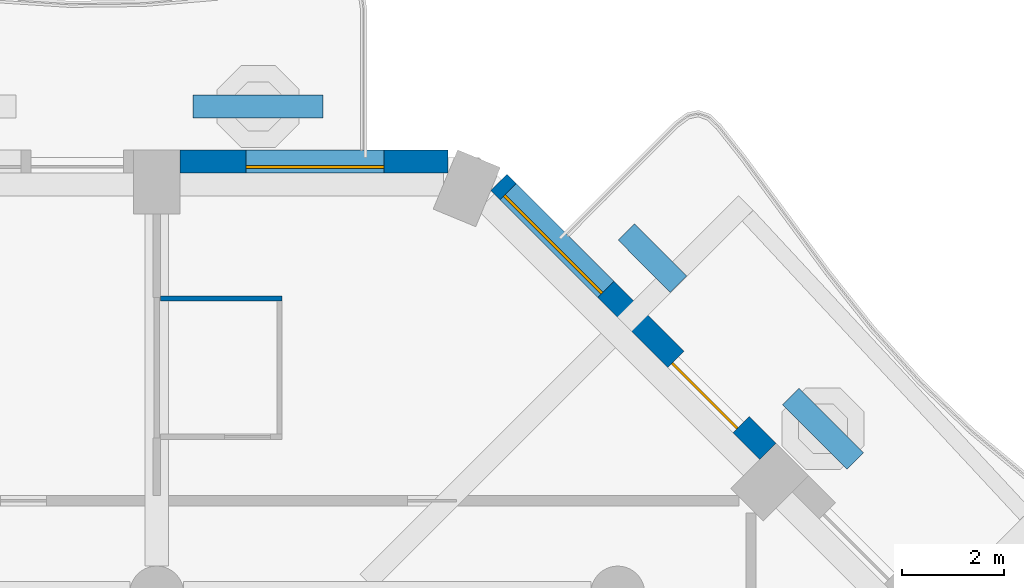
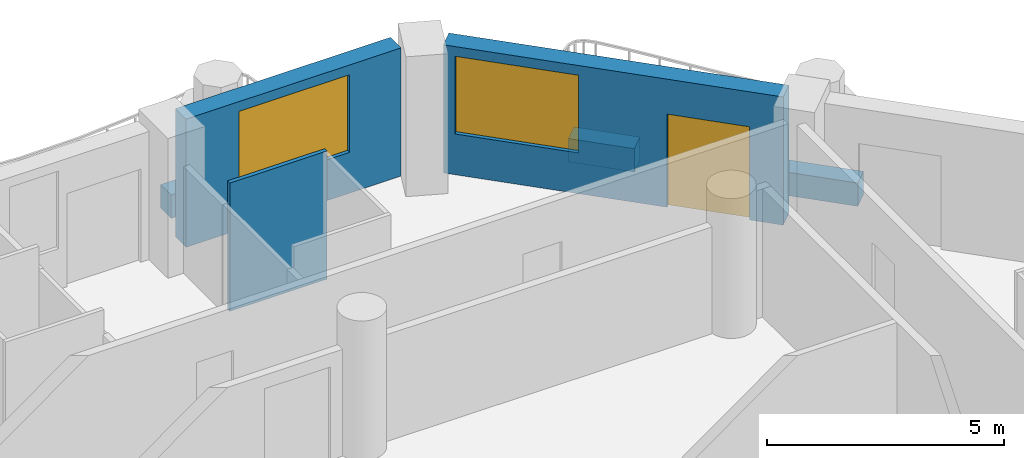
# One storey, part 10 of 20: 6 walls, 2 windows, 1 door, 3 openings.
"""IFC4 building model written with IfcOpenShell, lengths in metres."""

from ifc_helpers import new_model, si_unit, direction, frame, frame_2d, origin, place, context, subcontext, project, spatial, rectangle, extrude, material, layer, layer_set, type_object, element, fill, save


model = new_model("IFC4")

# Units and contexts
model_context = context("Model", 3, precision=1e-05, world=origin(), true_north=direction((0.0, 1.0)))
body_context = subcontext(model_context, "Body", "Model", "MODEL_VIEW")
ifc_project = project(units=[si_unit("LENGTHUNIT", "METRE"), si_unit("AREAUNIT", "SQUARE_METRE"), si_unit("VOLUMEUNIT", "CUBIC_METRE"), si_unit("PLANEANGLEUNIT", "RADIAN"), si_unit("MASSUNIT", "GRAM", prefix="KILO")], contexts=[model_context])

# Site, building, storey
site_placement = place(None, origin())
site = spatial("IfcSite", under=ifc_project, at=site_placement, CompositionType="ELEMENT")
building_placement = place(site_placement, origin())
building = spatial("IfcBuilding", under=site, at=building_placement, Name="Cypress Arch Tower", CompositionType="ELEMENT")
storey_placement = place(building_placement, frame((0.0, 0.0, 123.89990234375)))
storey = spatial("IfcBuildingStorey", under=building, at=storey_placement, Name="L26", CompositionType="ELEMENT", Elevation=123.89990234375)

# Walls
ifc_material_1 = material(Name="Concrete C40/50, waterproofed", Category="concrete")
ifc_layer_1 = layer(ifc_material_1, 0.449951171875)
ifc_layer_set_1 = layer_set([ifc_layer_1], Name="Balcony planter wall PW450")
wall_type_1 = type_object("IfcWallType", Name="Balcony planter wall PW450", PredefinedType="SOLIDWALL", material=ifc_layer_set_1)
wall_1_placement = place(storey_placement, frame((19.9365234375, 20.07763671875, 0.0), z_axis=(0.0, 0.0, 1.0), x_axis=(-0.707106781187, 0.707106781187, 0.0)))
element("IfcWall", 1, at=wall_1_placement, inside=storey, type_object=wall_type_1, Name="Balcony planter wall L26-A07.2", PredefinedType="SOLIDWALL", context=body_context, shape_type="SweptSolid", body=[
    extrude(rectangle(XDim=1.780517578125, YDim=0.449951171875, at=frame_2d((0.89013671875, 0.0))), origin(), (0.0, 0.0, 1.0), 0.60009765625),
])
wall_2_placement = place(storey_placement, frame((16.485595703125, 23.528564453125, 0.0), z_axis=(0.0, 0.0, 1.0), x_axis=(-0.707022305137, 0.707191247145, 0.0)))
element("IfcWall", 2, at=wall_2_placement, inside=storey, type_object=wall_type_1, Name="Balcony planter wall L26-A07.3", PredefinedType="SOLIDWALL", context=body_context, shape_type="SweptSolid", body=[
    extrude(rectangle(XDim=1.445068359375, YDim=0.449951171875, at=frame_2d((0.72265625, 0.0))), origin(), (0.0, 0.0, 1.0), 0.60009765625),
])
wall_3_placement = place(storey_placement, frame((9.550048828125, 27.0, 0.0), z_axis=(0.0, 0.0, 1.0), x_axis=(-1.0, 0.0, 0.0)))
element("IfcWall", 3, at=wall_3_placement, inside=storey, type_object=wall_type_1, Name="Balcony planter wall L26-A08.1", PredefinedType="SOLIDWALL", context=body_context, shape_type="SweptSolid", body=[
    extrude(rectangle(XDim=2.53759765625, YDim=0.449951171875, at=frame_2d((1.268798828125, 0.0))), origin(), (0.0, 0.0, 1.0), 0.60009765625),
])

# Wall, openings, door, window
ifc_material_2 = material(Name="Brick (red buff blend)", Category="masonry")
ifc_layer_2 = layer(ifc_material_2, 0.449951171875)
ifc_layer_set_2 = layer_set([ifc_layer_2], Name="Brick pier and spandrel wall BW450")
wall_type_2 = type_object("IfcWallType", Name="Brick pier and spandrel wall BW450", PredefinedType="SOLIDWALL", material=ifc_layer_set_2)
wall_4_placement = place(storey_placement, frame((18.228759765625, 20.26513671875, 0.0), z_axis=(0.0, 0.0, 1.0), x_axis=(-0.707106781187, 0.707106781187, 0.0)))
wall_4 = element("IfcWall", 4, at=wall_4_placement, inside=storey, type_object=wall_type_2, Name="Brick wall L26 A07.1", PredefinedType="SOLIDWALL", context=body_context, shape_type="SweptSolid", body=[
    extrude(rectangle(XDim=7.423828125, YDim=0.449951171875, at=frame_2d((3.7119140625, 0.0))), origin(), (0.0, 0.0, 1.0), 3.300048828125),
])
opening_1_placement = place(wall_4_placement, frame((0.740234375, 0.0, 0.0)))
opening_1 = element("IfcOpeningElement", 5, at=opening_1_placement, cuts=wall_4, Name="Opening D-L26-A07.1.1", PredefinedType="OPENING", context=body_context, shape_type="SweptSolid", body=[
    extrude(rectangle(XDim=1.800048828125, YDim=2.39990234375, at=frame_2d((0.89990234375, 1.199951171875))), frame((0.0, 0.23486328125, 0.0), z_axis=(0.0, -1.0, 0.0), x_axis=(1.0, 0.0, 0.0)), (0.0, 0.0, 1.0), 0.469970703125),
])
opening_2_placement = place(wall_4_placement, frame((4.470703125, 0.0, 1.050048828125)))
opening_2 = element("IfcOpeningElement", 6, at=opening_2_placement, cuts=wall_4, Name="Opening W270HD", PredefinedType="OPENING", context=body_context, shape_type="SweptSolid", body=[
    extrude(rectangle(XDim=2.699951171875, YDim=2.0, at=frame_2d((1.35009765625, 1.0))), frame((0.0, 0.23486328125, 0.0), z_axis=(0.0, -1.0, 0.0), x_axis=(1.0, 0.0, 0.0)), (0.0, 0.0, 1.0), 0.469970703125),
])
ifc_material_3 = material(Name="Anodised aluminium, bronze finish, laminated low-emissivity double glazing, large-missile impact rated", Category="aluminium")
door_type = type_object("IfcDoorType", Name="Balcony sliding door 1800x2400", OperationType="SLIDING_TO_LEFT", PredefinedType="DOOR", material=ifc_material_3)
door_placement = place(opening_1_placement, origin())
door = element("IfcDoor", 7, at=door_placement, inside=storey, type_object=door_type, Name="Balcony door L26 A07.1.1", OperationType="SLIDING_TO_LEFT", OverallHeight=2.39990234375, OverallWidth=1.800048828125, PredefinedType="DOOR", context=body_context, shape_type="SweptSolid", body=[
    extrude(rectangle(XDim=1.800048828125, YDim=2.39990234375, at=frame_2d((0.89990234375, 1.199951171875))), frame((0.0, 0.1298828125, 0.0), z_axis=(0.0, -1.0, 0.0), x_axis=(1.0, 0.0, 0.0)), (0.0, 0.0, 1.0), 0.050048828125),
])
fill(opening_1, door)
ifc_material_4 = material(Name="Anodised aluminium, bronze finish, laminated low-emissivity double glazing, large-missile impact rated", Category="aluminium")
window_type = type_object("IfcWindowType", Name="Window Hotel 2700x2000 debris-rated", PartitioningType="SINGLE_PANEL", PredefinedType="WINDOW", material=ifc_material_4)
window_1_placement = place(opening_2_placement, origin())
window_1 = element("IfcWindow", 8, at=window_1_placement, inside=storey, type_object=window_type, Name="Window L26 A07.1.2", OverallHeight=2.0, OverallWidth=2.699951171875, PartitioningType="SINGLE_PANEL", PredefinedType="WINDOW", context=body_context, shape_type="SweptSolid", body=[
    extrude(rectangle(XDim=2.699951171875, YDim=2.0, at=frame_2d((1.35009765625, 1.0))), frame((0.0, 0.135009765625, 0.0), z_axis=(0.0, -1.0, 0.0), x_axis=(1.0, 0.0, 0.0)), (0.0, 0.0, 1.0), 0.06005859375),
])
fill(opening_2, window_1)

# Wall, opening, window
wall_5_placement = place(storey_placement, frame((11.98876953125, 25.925048828125, 0.0), z_axis=(0.0, 0.0, 1.0), x_axis=(-1.0, 0.0, 0.0)))
wall_5 = element("IfcWall", 9, at=wall_5_placement, inside=storey, type_object=wall_type_2, Name="Brick wall L26 A08.0", PredefinedType="SOLIDWALL", context=body_context, shape_type="SweptSolid", body=[
    extrude(rectangle(XDim=5.23876953125, YDim=0.449951171875, at=frame_2d((2.619384765625, 0.0))), origin(), (0.0, 0.0, 1.0), 3.300048828125),
])
opening_3_placement = place(wall_5_placement, frame((1.250732421875, 0.0, 1.050048828125)))
opening_3 = element("IfcOpeningElement", 10, at=opening_3_placement, cuts=wall_5, Name="Opening W270HD", PredefinedType="OPENING", context=body_context, shape_type="SweptSolid", body=[
    extrude(rectangle(XDim=2.699951171875, YDim=2.0, at=frame_2d((1.35009765625, 1.0))), frame((0.0, 0.23486328125, 0.0), z_axis=(0.0, -1.0, 0.0), x_axis=(1.0, 0.0, 0.0)), (0.0, 0.0, 1.0), 0.469970703125),
])
window_2_placement = place(opening_3_placement, origin())
window_2 = element("IfcWindow", 11, at=window_2_placement, inside=storey, type_object=window_type, Name="Window L26 A08.0.1", OverallHeight=2.0, OverallWidth=2.699951171875, PartitioningType="SINGLE_PANEL", PredefinedType="WINDOW", context=body_context, shape_type="SweptSolid", body=[
    extrude(rectangle(XDim=2.699951171875, YDim=2.0, at=frame_2d((1.35009765625, 1.0))), frame((0.0, 0.135009765625, 0.0), z_axis=(0.0, -1.0, 0.0), x_axis=(1.0, 0.0, 0.0)), (0.0, 0.0, 1.0), 0.06005859375),
])
fill(opening_3, window_2)

# Wall
ifc_material_5 = material(Name="Moisture resistant board on steel studs, tiled", Category="steel")
ifc_layer_3 = layer(ifc_material_5, 0.10009765625)
ifc_layer_set_3 = layer_set([ifc_layer_3], Name="Wet wall PW100")
wall_type_3 = type_object("IfcWallType", Name="Wet wall PW100", PredefinedType="PARTITIONING", material=ifc_layer_set_3)
wall_6_placement = place(storey_placement, frame((6.375, 23.25, 0.0), z_axis=(0.0, 0.0, 1.0), x_axis=(1.0, 0.0, 0.0)))
element("IfcWall", 12, at=wall_6_placement, inside=storey, type_object=wall_type_3, Name="Wet wall", PredefinedType="PARTITIONING", context=body_context, shape_type="SweptSolid", body=[
    extrude(rectangle(XDim=2.37109375, YDim=0.10009765625, at=frame_2d((1.185546875, 0.0))), origin(), (0.0, 0.0, 1.0), 3.300048828125),
])

save(model, "model.ifc")
